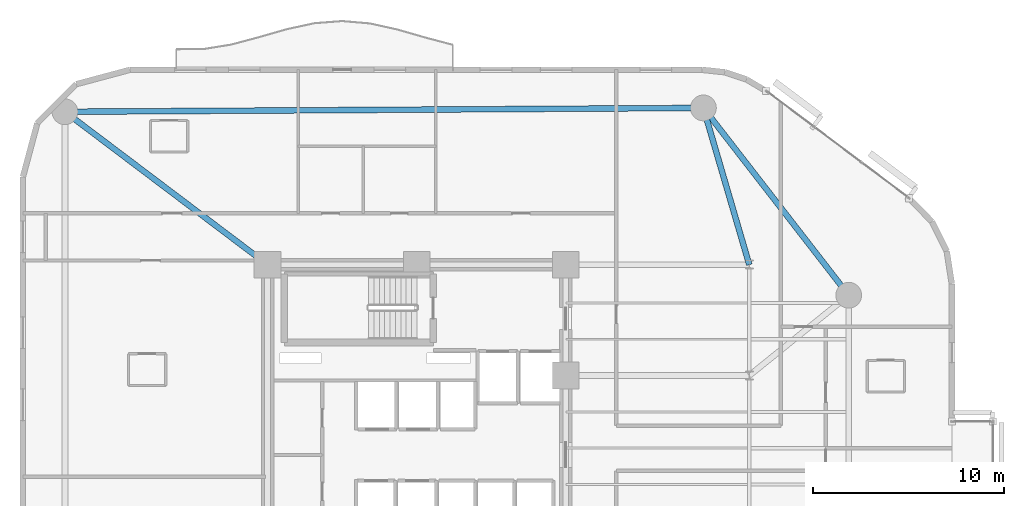
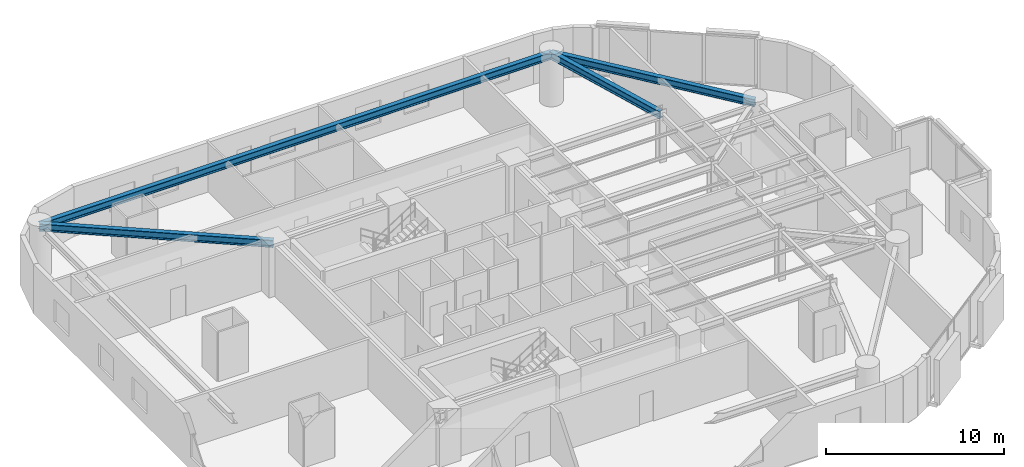
# One storey, part 5 of 14: 4 beams.
"""IFC4 building model written with IfcOpenShell, lengths in metres."""

from ifc_helpers import new_model, si_unit, direction, frame, origin, origin_2d, place, context, subcontext, project, spatial, i_section, extrude, material, material_profile, profile_set, type_object, element, save


model = new_model("IFC4")

# Units and contexts
model_context = context("Model", 3, precision=1e-05, world=origin(), true_north=direction((0.0, 1.0)))
body_context = subcontext(model_context, "Body", "Model", "MODEL_VIEW")
ifc_project = project(units=[si_unit("LENGTHUNIT", "METRE"), si_unit("AREAUNIT", "SQUARE_METRE"), si_unit("VOLUMEUNIT", "CUBIC_METRE"), si_unit("PLANEANGLEUNIT", "RADIAN"), si_unit("MASSUNIT", "GRAM", prefix="KILO")], contexts=[model_context])

# Site, building, storey
site_placement = place(None, origin())
site = spatial("IfcSite", under=ifc_project, at=site_placement, CompositionType="ELEMENT")
building_placement = place(site_placement, origin())
building = spatial("IfcBuilding", under=site, at=building_placement, Name="An Khanh Terracotta Commons", CompositionType="ELEMENT")
storey_placement = place(building_placement, frame((0.0, 0.0, 104.300048828125)))
storey = spatial("IfcBuildingStorey", under=building, at=storey_placement, Name="L27", CompositionType="ELEMENT", Elevation=104.300048828125)

# Beams
ifc_material = material(Name="Steel S355J2", Category="steel")
ifc_material_profile = material_profile(ifc_material, i_section(OverallWidth=0.300048828125, OverallDepth=0.5, WebThickness=0.014404296875, FlangeThickness=0.028076171875, FilletRadius=0.027099609375, at=origin_2d()), Name="HEB500")
ifc_profile_set = profile_set([ifc_material_profile], Name="Steel S355J2")
beam_type = type_object("IfcBeamType", Name="BM-HEB500", PredefinedType="BEAM", material=ifc_profile_set)
beam_1_placement = place(storey_placement, frame((52.0, 32.0, 3.14990234375), z_axis=(-0.612826529795, 0.790217466511, 0.0), x_axis=(-0.790217466511, -0.612826529795, 0.0)))
element("IfcBeam", 1, at=beam_1_placement, inside=storey, type_object=beam_type, Name="L27 Perimeter Ring Spandrel 4", PredefinedType="BEAM", context=body_context, shape_type="SweptSolid", body=[
    extrude(i_section(OverallWidth=0.300048828125, OverallDepth=0.5, WebThickness=0.014404296875, FlangeThickness=0.028076171875, FilletRadius=0.027099609375, at=origin_2d()), origin(), (0.0, 0.0, 1.0), 12.401611328125),
])
beam_2_placement = place(storey_placement, frame((44.39990234375, 41.800048828125, 3.14990234375), z_axis=(-0.999982080914, -0.005986472262, 0.0), x_axis=(0.005986472262, -0.999982080914, 0.0)))
element("IfcBeam", 2, at=beam_2_placement, inside=storey, type_object=beam_type, Name="L27 Perimeter Ring Spandrel 5", PredefinedType="BEAM", context=body_context, shape_type="SweptSolid", body=[
    extrude(i_section(OverallWidth=0.300048828125, OverallDepth=0.5, WebThickness=0.014404296875, FlangeThickness=0.028076171875, FilletRadius=0.027099609375, at=origin_2d()), origin(), (0.0, 0.0, 1.0), 33.400390625),
])
beam_3_placement = place(storey_placement, frame((44.39990234375, 41.800048828125, 3.14990234375), z_axis=(0.280916085823, -0.959732333896, 0.0), x_axis=(0.959732333896, 0.280916085823, 0.0)))
element("IfcBeam", 3, at=beam_3_placement, inside=storey, type_object=beam_type, Name="L27 Mega-Column Tie Girder 5", PredefinedType="BEAM", context=body_context, shape_type="SweptSolid", body=[
    extrude(i_section(OverallWidth=0.300048828125, OverallDepth=0.5, WebThickness=0.014404296875, FlangeThickness=0.028076171875, FilletRadius=0.027099609375, at=origin_2d()), origin(), (0.0, 0.0, 1.0), 8.5439453125),
])
beam_4_placement = place(storey_placement, frame((11.0, 41.60009765625, 3.14990234375), z_axis=(0.798191818888, -0.602403370061, 0.0), x_axis=(0.602403370061, 0.798191818888, 0.0)))
element("IfcBeam", 4, at=beam_4_placement, inside=storey, type_object=beam_type, Name="L27 Mega-Column Tie Girder 6", PredefinedType="BEAM", context=body_context, shape_type="SweptSolid", body=[
    extrude(i_section(OverallWidth=0.300048828125, OverallDepth=0.5, WebThickness=0.014404296875, FlangeThickness=0.028076171875, FilletRadius=0.027099609375, at=origin_2d()), origin(), (0.0, 0.0, 1.0), 13.280029296875),
])

save(model, "model.ifc")
